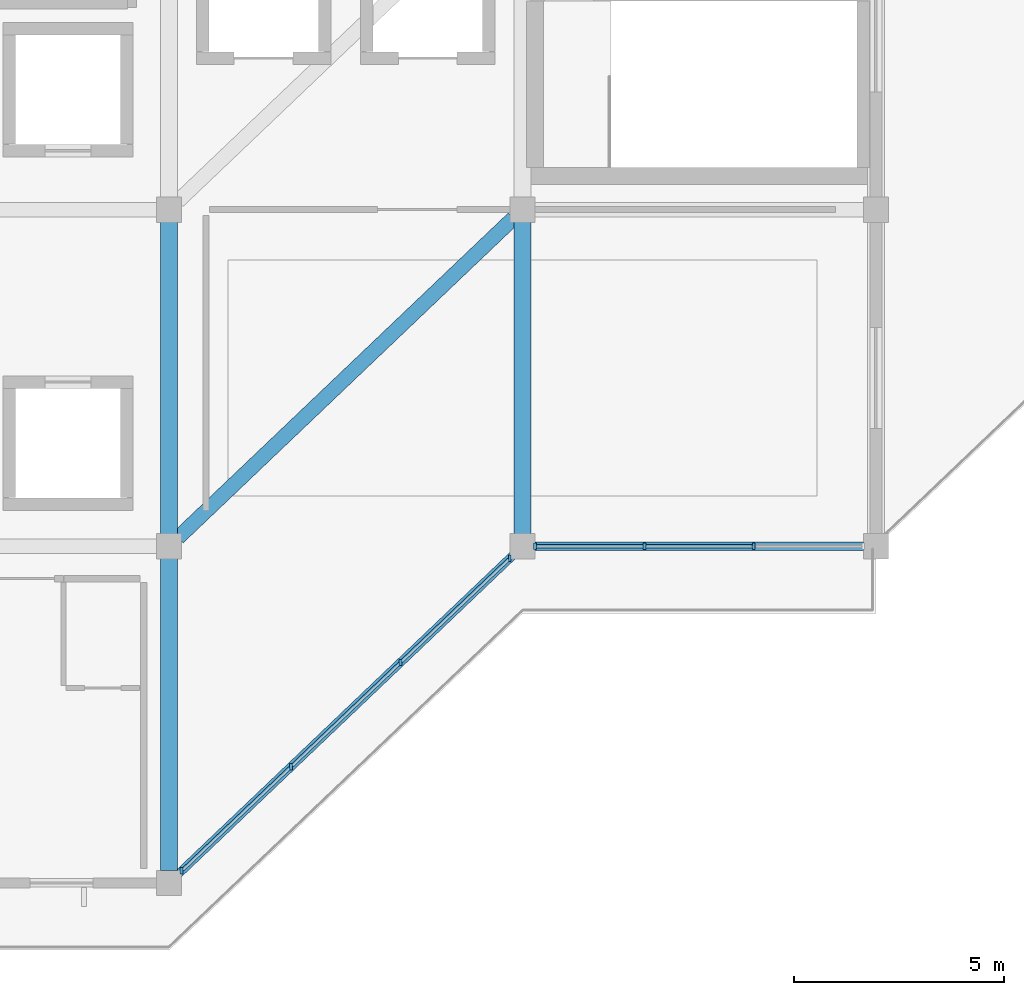
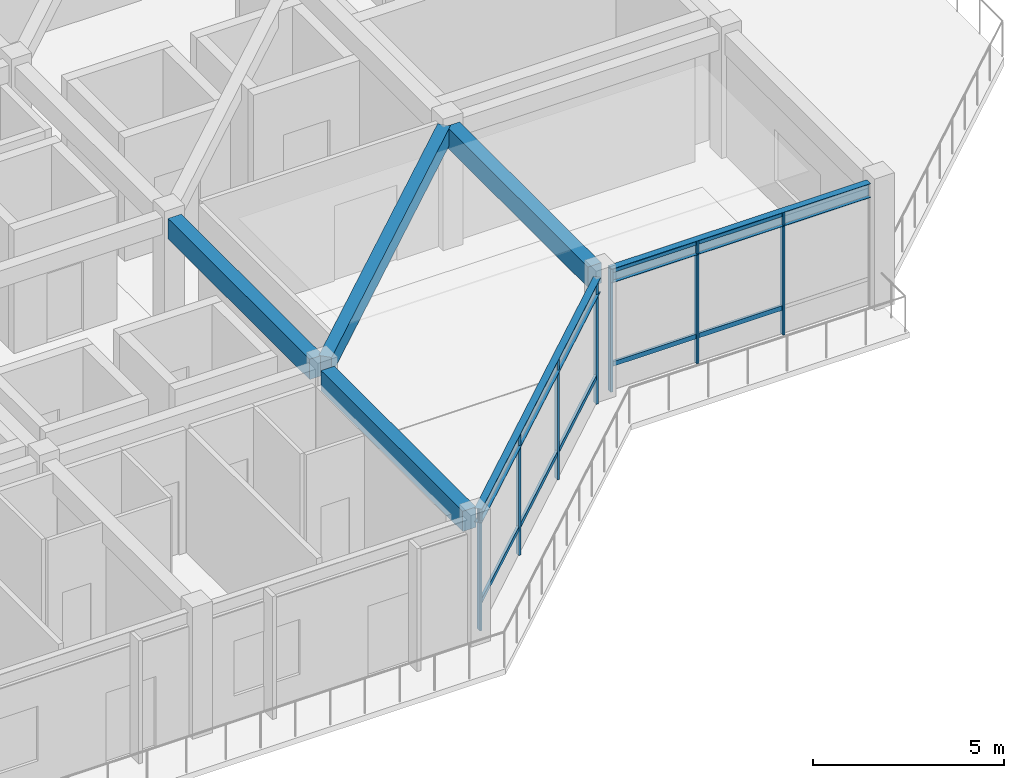
# One storey, part 2 of 11: 17 members, 6 beams, 2 elements without a shape of their own.
"""IFC4 building model written with IfcOpenShell, lengths in metres."""

from ifc_helpers import new_model, si_unit, direction, frame, origin, origin_2d, place, context, subcontext, project, spatial, rectangle, i_section, extrude, material, layer, layer_set, material_profile, profile_set, type_object, element, aggregate, save


model = new_model("IFC4")

# Units and contexts
model_context = context("Model", 3, precision=1e-05, world=origin(), true_north=direction((0.0, 1.0)))
body_context = subcontext(model_context, "Body", "Model", "MODEL_VIEW")
ifc_project = project(units=[si_unit("LENGTHUNIT", "METRE"), si_unit("AREAUNIT", "SQUARE_METRE"), si_unit("VOLUMEUNIT", "CUBIC_METRE"), si_unit("PLANEANGLEUNIT", "RADIAN"), si_unit("MASSUNIT", "GRAM", prefix="KILO")], contexts=[model_context])

# Site, building, storey
site_placement = place(None, origin())
site = spatial("IfcSite", under=ifc_project, at=site_placement, CompositionType="ELEMENT")
building_placement = place(site_placement, origin())
building = spatial("IfcBuilding", under=site, at=building_placement, Name="Naruveol Harbour Congress Hotel", CompositionType="ELEMENT")
storey_placement = place(building_placement, frame((0.0, 0.0, 47.39990234375)))
storey = spatial("IfcBuildingStorey", under=building, at=storey_placement, Name="L11", CompositionType="ELEMENT", Elevation=47.39990234375)

# Beams
ifc_material_1 = material(Name="Concrete C40/50", Category="concrete")
ifc_material_profile_1 = material_profile(ifc_material_1, rectangle(XDim=0.39990234375, YDim=0.64990234375, at=origin_2d()), Name="RCB-400x650")
ifc_profile_set_1 = profile_set([ifc_material_profile_1], Name="Concrete C40/50")
beam_type_1 = type_object("IfcBeamType", Name="RC HOTEL BEAM 400X650", PredefinedType="BEAM", material=ifc_profile_set_1)
for number, where, z_axis, x_axis, name in (
    (1, (142.800048828125, 0.2958984375, 3.614990234375), (0.0, 1.0, 0.0), (-1.0, 0.0, 0.0), "Hotel transverse beam RF CB4"),
    (2, (142.800048828125, 8.2958984375, 3.614990234375), (0.0, 1.0, 0.0), (-1.0, 0.0, 0.0), "Hotel transverse beam RF CB4"),
    (3, (151.199951171875, 8.2958984375, 3.614990234375), (0.0, 1.0, 0.0), (-1.0, 0.0, 0.0), "Hotel transverse beam RF CB4"),
):
    element("IfcBeam", number, at=place(storey_placement, frame(where, z_axis=z_axis, x_axis=x_axis)), inside=storey, type_object=beam_type_1, Name=name, PredefinedType="BEAM", context=body_context, shape_type="SweptSolid", body=[
        extrude(rectangle(XDim=0.39990234375, YDim=0.64990234375, at=origin_2d()), origin(), (0.0, 0.0, 1.0), 7.408203125),
    ])
ifc_material_2 = material(Name="Concrete C40/50", Category="concrete")
ifc_material_profile_2 = material_profile(ifc_material_2, rectangle(XDim=0.35009765625, YDim=0.550048828125, at=origin_2d()), Name="RCB-350x550")
ifc_profile_set_2 = profile_set([ifc_material_profile_2], Name="Concrete C40/50")
beam_type_2 = type_object("IfcBeamType", Name="RC SECONDARY BEAM 350X550", PredefinedType="JOIST", material=ifc_profile_set_2)
beam_1_placement = place(storey_placement, frame((143.014404296875, 8.2041015625, 3.6650390625), z_axis=(0.724129492057, 0.689664033231, 0.0), x_axis=(-0.689664033231, 0.724129492057, 0.0)))
element("IfcBeam", 4, at=beam_1_placement, inside=storey, type_object=beam_type_2, Name="Hotel chord beam RF CJ1", PredefinedType="JOIST", context=body_context, shape_type="SweptSolid", body=[
    extrude(rectangle(XDim=0.35009765625, YDim=0.550048828125, at=origin_2d()), origin(), (0.0, 0.0, 1.0), 11.008056640625),
])
ifc_material_3 = material(Name="Steel SN490", Category="steel")
ifc_material_profile_3 = material_profile(ifc_material_3, i_section(OverallWidth=0.199951171875, OverallDepth=0.449951171875, WebThickness=0.009033203125, FlangeThickness=0.013916015625, at=origin_2d()), Name="H-450x200x9x14")
ifc_profile_set_3 = profile_set([ifc_material_profile_3], Name="Steel SN490")
beam_type_3 = type_object("IfcBeamType", Name="STEEL SPANDREL EDGE BEAM H450", PredefinedType="SPANDREL", material=ifc_profile_set_3)
beam_2_placement = place(storey_placement, frame((143.014404296875, 0.2041015625, 3.715087890625), z_axis=(0.724129492057, 0.689664033231, 0.0), x_axis=(-0.689664033231, 0.724129492057, 0.0)))
element("IfcBeam", 5, at=beam_2_placement, inside=storey, type_object=beam_type_3, Name="Hotel chord beam RF SPB2", PredefinedType="SPANDREL", context=body_context, shape_type="SweptSolid", body=[
    extrude(i_section(OverallWidth=0.199951171875, OverallDepth=0.449951171875, WebThickness=0.009033203125, FlangeThickness=0.013916015625, at=origin_2d()), origin(), (0.0, 0.0, 1.0), 11.008056640625),
])
beam_3_placement = place(storey_placement, frame((151.49609375, 8.0, 3.715087890625), z_axis=(1.0, 0.0, 0.0), x_axis=(0.0, 1.0, 0.0)))
element("IfcBeam", 6, at=beam_3_placement, inside=storey, type_object=beam_type_3, Name="Hotel chord beam RF SPB2", PredefinedType="SPANDREL", context=body_context, shape_type="SweptSolid", body=[
    extrude(i_section(OverallWidth=0.199951171875, OverallDepth=0.449951171875, WebThickness=0.009033203125, FlangeThickness=0.013916015625, at=origin_2d()), origin(), (0.0, 0.0, 1.0), 7.807861328125),
])

# Curtain wall, members
ifc_material_4 = material(Name="Low-E Curtain Wall System", Category="glass")
ifc_layer_1 = layer(ifc_material_4, 0.179931640625)
ifc_layer_set_1 = layer_set([ifc_layer_1], Name="Low-E Curtain Wall System")
curtain_wall_type_1 = type_object("IfcCurtainWallType", Name="UNITISED CURTAIN WALL CW-V5CR-54 10771X3920", PredefinedType="USERDEFINED", material=ifc_layer_set_1)
curtain_wall_1_placement = place(storey_placement, origin())
curtain_wall_1 = element("IfcCurtainWall", 7, at=curtain_wall_1_placement, inside=storey, type_object=curtain_wall_type_1, Name="Unitised curtain wall CW-V5CR-54 L11", ObjectType="UNITISED GLAZING", PredefinedType="USERDEFINED")
ifc_material_5 = material(Name="Anodised Aluminium 6063-T6", Category="aluminium")
ifc_material_profile_4 = material_profile(ifc_material_5, rectangle(XDim=0.06494140625, YDim=0.14990234375, at=origin_2d()), Name="ALU-65x150")
ifc_profile_set_4 = profile_set([ifc_material_profile_4], Name="Anodised Aluminium 6063-T6")
member_type_1 = type_object("IfcMemberType", Name="THERMAL ALUMINIUM MULLION 65X150", PredefinedType="MULLION", material=ifc_profile_set_4)
member_1_placement = place(storey_placement, frame((150.89990234375, 7.714111328125, 0.0), z_axis=(0.0, 0.0, 1.0), x_axis=(1.0, 0.0, 0.0)))
member_1 = element("IfcMember", 8, at=member_1_placement, type_object=member_type_1, Name="Curtain wall mullion CW-L11-0151-M0", PredefinedType="MULLION", context=body_context, shape_type="SweptSolid", body=[
    extrude(rectangle(XDim=0.06494140625, YDim=0.14990234375, at=origin_2d()), origin(), (0.0, 0.0, 1.0), 3.920166015625),
])
member_2_placement = place(storey_placement, frame((148.300048828125, 5.238037109375, 0.0), z_axis=(0.0, 0.0, 1.0), x_axis=(1.0, 0.0, 0.0)))
member_2 = element("IfcMember", 9, at=member_2_placement, type_object=member_type_1, Name="Curtain wall mullion CW-L11-0151-M1", PredefinedType="MULLION", context=body_context, shape_type="SweptSolid", body=[
    extrude(rectangle(XDim=0.06494140625, YDim=0.14990234375, at=origin_2d()), origin(), (0.0, 0.0, 1.0), 3.920166015625),
])
member_3_placement = place(storey_placement, frame((145.699951171875, 2.761962890625, 0.0), z_axis=(0.0, 0.0, 1.0), x_axis=(1.0, 0.0, 0.0)))
member_3 = element("IfcMember", 10, at=member_3_placement, type_object=member_type_1, Name="Curtain wall mullion CW-L11-0151-M2", PredefinedType="MULLION", context=body_context, shape_type="SweptSolid", body=[
    extrude(rectangle(XDim=0.06494140625, YDim=0.14990234375, at=origin_2d()), origin(), (0.0, 0.0, 1.0), 3.920166015625),
])
member_4_placement = place(storey_placement, frame((143.10009765625, 0.285888671875, 0.0), z_axis=(0.0, 0.0, 1.0), x_axis=(1.0, 0.0, 0.0)))
member_4 = element("IfcMember", 11, at=member_4_placement, type_object=member_type_1, Name="Curtain wall mullion CW-L11-0151-M3", PredefinedType="MULLION", context=body_context, shape_type="SweptSolid", body=[
    extrude(rectangle(XDim=0.06494140625, YDim=0.14990234375, at=origin_2d()), origin(), (0.0, 0.0, 1.0), 3.920166015625),
])

ifc_material_6 = material(Name="Low-E Curtain Wall System", Category="glass")
ifc_layer_2 = layer(ifc_material_6, 0.179931640625)
ifc_layer_set_2 = layer_set([ifc_layer_2], Name="Low-E Curtain Wall System")
curtain_wall_type_2 = type_object("IfcCurtainWallType", Name="UNITISED CURTAIN WALL CW-V5CR-56 7800X3920", PredefinedType="USERDEFINED", material=ifc_layer_set_2)
curtain_wall_2_placement = place(storey_placement, origin())
curtain_wall_2 = element("IfcCurtainWall", 12, at=curtain_wall_2_placement, inside=storey, type_object=curtain_wall_type_2, Name="Unitised curtain wall CW-V5CR-56 L11", ObjectType="UNITISED GLAZING", PredefinedType="USERDEFINED")
member_5_placement = place(storey_placement, frame((156.699951171875, 8.0, 0.0), z_axis=(0.0, 0.0, 1.0), x_axis=(1.0, 0.0, 0.0)))
member_5 = element("IfcMember", 13, at=member_5_placement, type_object=member_type_1, Name="Curtain wall mullion CW-L11-0153-M1", PredefinedType="MULLION", context=body_context, shape_type="SweptSolid", body=[
    extrude(rectangle(XDim=0.06494140625, YDim=0.14990234375, at=origin_2d()), origin(), (0.0, 0.0, 1.0), 3.920166015625),
])
member_6_placement = place(storey_placement, frame((154.10009765625, 8.0, 0.0), z_axis=(0.0, 0.0, 1.0), x_axis=(1.0, 0.0, 0.0)))
member_6 = element("IfcMember", 14, at=member_6_placement, type_object=member_type_1, Name="Curtain wall mullion CW-L11-0153-M2", PredefinedType="MULLION", context=body_context, shape_type="SweptSolid", body=[
    extrude(rectangle(XDim=0.06494140625, YDim=0.14990234375, at=origin_2d()), origin(), (0.0, 0.0, 1.0), 3.920166015625),
])
member_7_placement = place(storey_placement, frame((151.5, 8.0, 0.0), z_axis=(0.0, 0.0, 1.0), x_axis=(1.0, 0.0, 0.0)))
member_7 = element("IfcMember", 15, at=member_7_placement, type_object=member_type_1, Name="Curtain wall mullion CW-L11-0153-M3", PredefinedType="MULLION", context=body_context, shape_type="SweptSolid", body=[
    extrude(rectangle(XDim=0.06494140625, YDim=0.14990234375, at=origin_2d()), origin(), (0.0, 0.0, 1.0), 3.920166015625),
])

# Member
ifc_material_7 = material(Name="Anodised Aluminium 6063-T6", Category="aluminium")
ifc_material_profile_5 = material_profile(ifc_material_7, rectangle(XDim=0.074951171875, YDim=0.14990234375, at=origin_2d()), Name="ALU-75x150")
ifc_profile_set_5 = profile_set([ifc_material_profile_5], Name="Anodised Aluminium 6063-T6")
member_type_2 = type_object("IfcMemberType", Name="THERMAL ALUMINIUM TRANSOM 75X150", PredefinedType="USERDEFINED", material=ifc_profile_set_5)
member_8_placement = place(storey_placement, frame((150.87109375, 7.686279296875, 0.85009765625), z_axis=(-0.724179280726, -0.689611752631, 0.0), x_axis=(0.689611752631, -0.724179280726, 0.0)))
member_8 = element("IfcMember", 16, at=member_8_placement, type_object=member_type_2, Name="Curtain wall transom CW-L11-0151-T0.1", ObjectType="TRANSOM", PredefinedType="USERDEFINED", context=body_context, shape_type="SweptSolid", body=[
    extrude(rectangle(XDim=0.074951171875, YDim=0.14990234375, at=origin_2d()), origin(), (0.0, 0.0, 1.0), 3.51025390625),
])

member_9_placement = place(storey_placement, frame((150.87109375, 7.686279296875, 3.840087890625), z_axis=(-0.724179280726, -0.689611752631, 0.0), x_axis=(0.689611752631, -0.724179280726, 0.0)))
member_9 = element("IfcMember", 17, at=member_9_placement, type_object=member_type_2, Name="Curtain wall transom CW-L11-0151-T0.2", ObjectType="TRANSOM", PredefinedType="USERDEFINED", context=body_context, shape_type="SweptSolid", body=[
    extrude(rectangle(XDim=0.074951171875, YDim=0.14990234375, at=origin_2d()), origin(), (0.0, 0.0, 1.0), 3.51025390625),
])

member_10_placement = place(storey_placement, frame((148.27099609375, 5.21044921875, 0.85009765625), z_axis=(-0.724144546843, -0.689648225748, 0.0), x_axis=(0.689648225748, -0.724144546843, 0.0)))
member_10 = element("IfcMember", 18, at=member_10_placement, type_object=member_type_2, Name="Curtain wall transom CW-L11-0151-T1.1", ObjectType="TRANSOM", PredefinedType="USERDEFINED", context=body_context, shape_type="SweptSolid", body=[
    extrude(rectangle(XDim=0.074951171875, YDim=0.14990234375, at=origin_2d()), origin(), (0.0, 0.0, 1.0), 3.51025390625),
])

member_11_placement = place(storey_placement, frame((148.27099609375, 5.21044921875, 3.840087890625), z_axis=(-0.724144546843, -0.689648225748, 0.0), x_axis=(0.689648225748, -0.724144546843, 0.0)))
member_11 = element("IfcMember", 19, at=member_11_placement, type_object=member_type_2, Name="Curtain wall transom CW-L11-0151-T1.2", ObjectType="TRANSOM", PredefinedType="USERDEFINED", context=body_context, shape_type="SweptSolid", body=[
    extrude(rectangle(XDim=0.074951171875, YDim=0.14990234375, at=origin_2d()), origin(), (0.0, 0.0, 1.0), 3.51025390625),
])

member_12_placement = place(storey_placement, frame((145.6708984375, 2.734375, 0.85009765625), z_axis=(-0.724179280726, -0.689611752631, 0.0), x_axis=(0.689611752631, -0.724179280726, 0.0)))
member_12 = element("IfcMember", 20, at=member_12_placement, type_object=member_type_2, Name="Curtain wall transom CW-L11-0151-T2.1", ObjectType="TRANSOM", PredefinedType="USERDEFINED", context=body_context, shape_type="SweptSolid", body=[
    extrude(rectangle(XDim=0.074951171875, YDim=0.14990234375, at=origin_2d()), origin(), (0.0, 0.0, 1.0), 3.51025390625),
])

member_13_placement = place(storey_placement, frame((145.6708984375, 2.734375, 3.840087890625), z_axis=(-0.724179280726, -0.689611752631, 0.0), x_axis=(0.689611752631, -0.724179280726, 0.0)))
member_13 = element("IfcMember", 21, at=member_13_placement, type_object=member_type_2, Name="Curtain wall transom CW-L11-0151-T2.2", ObjectType="TRANSOM", PredefinedType="USERDEFINED", context=body_context, shape_type="SweptSolid", body=[
    extrude(rectangle(XDim=0.074951171875, YDim=0.14990234375, at=origin_2d()), origin(), (0.0, 0.0, 1.0), 3.51025390625),
])

aggregate(curtain_wall_1, [member_1, member_2, member_3, member_4, member_8, member_9, member_10, member_11, member_12, member_13])

member_14_placement = place(storey_placement, frame((156.659912109375, 8.0, 0.85009765625), z_axis=(-1.0, 0.0, 0.0), x_axis=(0.0, -1.0, 0.0)))
member_14 = element("IfcMember", 22, at=member_14_placement, type_object=member_type_2, Name="Curtain wall transom CW-L11-0153-T1.1", ObjectType="TRANSOM", PredefinedType="USERDEFINED", context=body_context, shape_type="SweptSolid", body=[
    extrude(rectangle(XDim=0.074951171875, YDim=0.14990234375, at=origin_2d()), origin(), (0.0, 0.0, 1.0), 2.52001953125),
])

member_15_placement = place(storey_placement, frame((156.659912109375, 8.0, 3.840087890625), z_axis=(-1.0, 0.0, 0.0), x_axis=(0.0, -1.0, 0.0)))
member_15 = element("IfcMember", 23, at=member_15_placement, type_object=member_type_2, Name="Curtain wall transom CW-L11-0153-T1.2", ObjectType="TRANSOM", PredefinedType="USERDEFINED", context=body_context, shape_type="SweptSolid", body=[
    extrude(rectangle(XDim=0.074951171875, YDim=0.14990234375, at=origin_2d()), origin(), (0.0, 0.0, 1.0), 2.52001953125),
])

member_16_placement = place(storey_placement, frame((154.06005859375, 8.0, 0.85009765625), z_axis=(-1.0, 0.0, 0.0), x_axis=(0.0, -1.0, 0.0)))
member_16 = element("IfcMember", 24, at=member_16_placement, type_object=member_type_2, Name="Curtain wall transom CW-L11-0153-T2.1", ObjectType="TRANSOM", PredefinedType="USERDEFINED", context=body_context, shape_type="SweptSolid", body=[
    extrude(rectangle(XDim=0.074951171875, YDim=0.14990234375, at=origin_2d()), origin(), (0.0, 0.0, 1.0), 2.52001953125),
])

member_17_placement = place(storey_placement, frame((154.06005859375, 8.0, 3.840087890625), z_axis=(-1.0, 0.0, 0.0), x_axis=(0.0, -1.0, 0.0)))
member_17 = element("IfcMember", 25, at=member_17_placement, type_object=member_type_2, Name="Curtain wall transom CW-L11-0153-T2.2", ObjectType="TRANSOM", PredefinedType="USERDEFINED", context=body_context, shape_type="SweptSolid", body=[
    extrude(rectangle(XDim=0.074951171875, YDim=0.14990234375, at=origin_2d()), origin(), (0.0, 0.0, 1.0), 2.52001953125),
])

aggregate(curtain_wall_2, [member_5, member_6, member_7, member_14, member_15, member_16, member_17])

save(model, "model.ifc")
